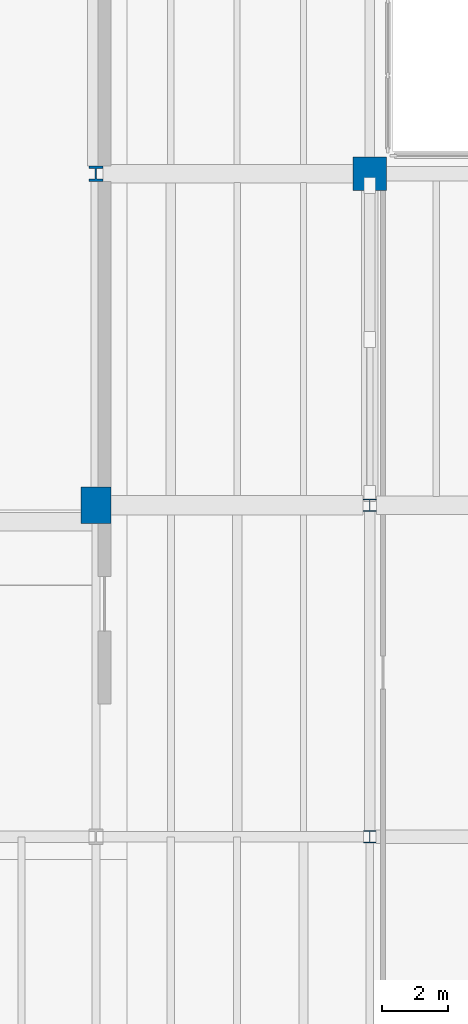
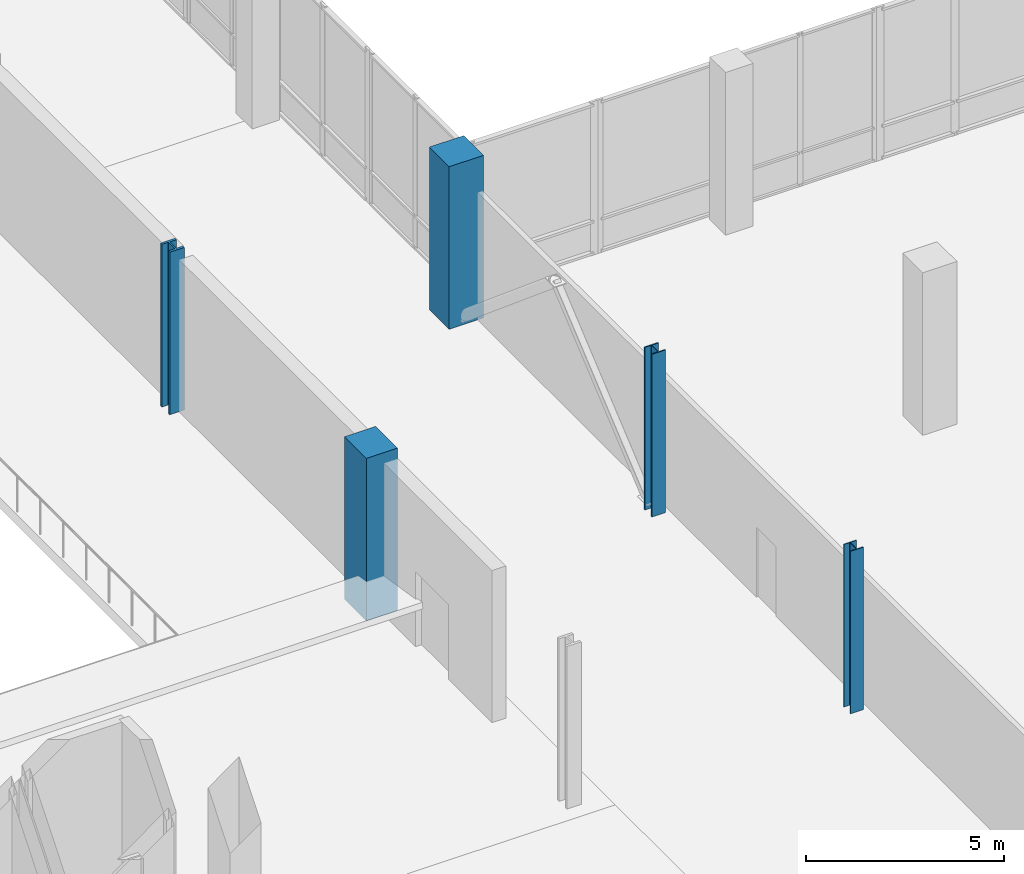
# One storey, part 6 of 73: 5 columns.
"""IFC4 building model written with IfcOpenShell, lengths in metres."""

import ifcopenshell
import ifcopenshell.guid

model = None  # the IFC model being written
_history = None  # IfcOwnerHistory: only IFC2X3 demands one
_inside = {}  # id of a spatial element -> (the spatial element, [elements in it])
_under = {}  # id of a project, library or spatial element -> (it, [spatial elements below it])
_declared = {}  # id of a project -> (the project, [libraries it declares])
_typed = {}  # id of a type object -> (the type object, [elements of that type])
_made_of = {}  # id of a material, layer set ... -> (it, [elements and type objects made of it])


def new_model(schema):
    """Start an empty IFC model of exactly this schema.

    Asked for "IFC4X3", IfcOpenShell would pick the latest addendum, in which some entities
    have other attributes; the version numbers below select the first issue.
    IFC2X3 requires an IfcOwnerHistory on every rooted entity: one is made here for all.
    """
    global model, _history
    if schema == "IFC4X3":
        model = ifcopenshell.file(schema_version=(4, 3, 0, 0))
    else:
        model = ifcopenshell.file(schema=schema)
    _inside.clear()
    _under.clear()
    _declared.clear()
    _typed.clear()
    _made_of.clear()
    _history = None
    if model.schema == "IFC2X3":
        org = make("IfcOrganization", Name="unknown")
        user = make(
            "IfcPersonAndOrganization",
            ThePerson=make("IfcPerson", FamilyName="unknown"),
            TheOrganization=org,
        )
        app = make(
            "IfcApplication",
            ApplicationDeveloper=org,
            Version="unknown",
            ApplicationFullName="unknown",
            ApplicationIdentifier="unknown",
        )
        _history = make(
            "IfcOwnerHistory",
            OwningUser=user,
            OwningApplication=app,
            ChangeAction="ADDED",
            CreationDate=0,
        )
    return model


def make(cls, **values):
    """One entity of the class cls with the attributes given. An attribute that is None is left unset."""
    return model.create_entity(
        cls, **{name: value for name, value in values.items() if value is not None}
    )


def rooted(cls, **values):
    """An entity with a GlobalId (a new one), such as an element, a storey or a relation."""
    return make(cls, GlobalId=ifcopenshell.guid.new(), OwnerHistory=_history, **values)


def si_unit(unit_type, name, prefix=None):
    """IfcSIUnit, for example si_unit("LENGTHUNIT", "METRE", prefix="MILLI")."""
    return make("IfcSIUnit", UnitType=unit_type, Prefix=prefix, Name=name)


def assignment(units):
    """IfcUnitAssignment: the units of a project."""
    return None if units is None else make("IfcUnitAssignment", Units=units)


def point(xyz):
    """IfcCartesianPoint."""
    return None if xyz is None else make("IfcCartesianPoint", Coordinates=xyz)


def direction(xyz):
    """IfcDirection."""
    return None if xyz is None else make("IfcDirection", DirectionRatios=xyz)


def frame(location, z_axis=None, x_axis=None):
    """IfcAxis2Placement3D, a coordinate frame: its origin and axes. An axis left out is left unset."""
    return make(
        "IfcAxis2Placement3D",
        Location=point(location),
        Axis=direction(z_axis),
        RefDirection=direction(x_axis),
    )


def frame_2d(location, x_axis=None):
    """IfcAxis2Placement2D, a coordinate frame in the plane: its origin and x axis."""
    return make(
        "IfcAxis2Placement2D", Location=point(location), RefDirection=direction(x_axis)
    )


def origin():
    """The frame at (0, 0, 0) with its axes left unset."""
    return frame((0.0, 0.0, 0.0))


def origin_2d():
    """The frame at (0, 0) in the plane with its x axis left unset."""
    return frame_2d((0.0, 0.0))


def place(relative_to, where):
    """IfcLocalPlacement: puts the frame where relative to a parent placement (None: the world)."""
    return make(
        "IfcLocalPlacement", PlacementRelTo=relative_to, RelativePlacement=where
    )


def context(
    kind, dimensions, precision=None, world=None, true_north=None, identifier=None
):
    """IfcGeometricRepresentationContext, for example the 3D "Model" context."""
    return make(
        "IfcGeometricRepresentationContext",
        ContextIdentifier=identifier,
        ContextType=kind,
        CoordinateSpaceDimension=dimensions,
        Precision=precision,
        WorldCoordinateSystem=world,
        TrueNorth=true_north,
    )


def subcontext(parent, identifier, kind, view, scale=None):
    """IfcGeometricRepresentationSubContext, for example "Body" below "Model"."""
    return make(
        "IfcGeometricRepresentationSubContext",
        ContextIdentifier=identifier,
        ContextType=kind,
        ParentContext=parent,
        TargetScale=scale,
        TargetView=view,
    )


def project(units=None, contexts=None):
    """IfcProject with its units and contexts."""
    return rooted(
        "IfcProject",
        Name="project",
        RepresentationContexts=contexts,
        UnitsInContext=assignment(units),
    )


def spatial(cls, under=None, at=None, **own):
    """A site, building, storey or space (cls), placed at a placement, below another one or the project."""
    s = rooted(cls, ObjectPlacement=at, **own)
    if under is not None:
        _under.setdefault(under.id(), (under, []))[1].append(s)
    return s


def profile(cls, at=None, kind="AREA", **sizes):
    """A parametric profile (cls). Its sizes go by their IFC names, for example OverallWidth=200.0."""
    return make(cls, ProfileType=kind, Position=at, **sizes)


def rectangle(**sizes):
    """IfcRectangleProfileDef."""
    return profile("IfcRectangleProfileDef", **sizes)


def i_section(**sizes):
    """IfcIShapeProfileDef."""
    return profile("IfcIShapeProfileDef", **sizes)


def extrude(swept, where, along, depth):
    """IfcExtrudedAreaSolid: the profile swept, set in the frame where, extruded along a direction by depth."""
    return make(
        "IfcExtrudedAreaSolid",
        SweptArea=swept,
        Position=where,
        ExtrudedDirection=direction(along),
        Depth=depth,
    )


def shape(context_of_items, identifier, shape_type, items):
    """IfcShapeRepresentation: the items that make up one representation, for example the "Body"."""
    return make(
        "IfcShapeRepresentation",
        ContextOfItems=context_of_items,
        RepresentationIdentifier=identifier,
        RepresentationType=shape_type,
        Items=items,
    )


def material(Name=None, Category=None):
    """IfcMaterial."""
    return make("IfcMaterial", Name=Name, Category=Category)


def material_profile(
    of_material, cross_section, Name=None, Category=None, Priority=None
):
    """IfcMaterialProfile: a cross section and its material."""
    return make(
        "IfcMaterialProfile",
        Name=Name,
        Material=of_material,
        Profile=cross_section,
        Priority=Priority,
        Category=Category,
    )


def profile_set(profiles, Name=None, composite=None):
    """IfcMaterialProfileSet."""
    return make(
        "IfcMaterialProfileSet",
        Name=Name,
        MaterialProfiles=profiles,
        CompositeProfile=composite,
    )


def made_of(thing, what):
    """Note that an element or type object is made of a material, layer set ...; save() writes the relation."""
    if what is not None:
        _made_of.setdefault(what.id(), (what, []))[1].append(thing)
    return thing


def type_object(cls, material=None, **own):
    """A type object (cls), such as IfcWallType, which elements share."""
    return made_of(rooted(cls, **own), material)


def element(
    cls,
    number,
    at=None,
    inside=None,
    cuts=None,
    type_object=None,
    material=None,
    context=None,
    identifier="Body",
    shape_type=None,
    held_by="IfcProductDefinitionShape",
    body=None,
    shapes=None,
    **own,
):
    """One element of the class cls, such as IfcWall. Its Tag is "e" and its number.

    at: its placement. inside: the storey or other place that contains it. cuts: it is an
    opening in that element (IfcRelVoidsElement). A single representation is given by context,
    identifier, shape_type and body (its items); several are given by shapes. held_by: the class
    of the entity that holds the representations. save() writes the other relations.
    """
    e = rooted(cls, Tag="e%d" % number, ObjectPlacement=at, **own)
    if body is not None:
        shapes = [shape(context, identifier, shape_type, body)]
    if shapes is not None:
        e.Representation = make(held_by, Representations=shapes)
    if inside is not None:
        _inside.setdefault(inside.id(), (inside, []))[1].append(e)
    if cuts is not None:
        rooted(
            "IfcRelVoidsElement", RelatingBuildingElement=cuts, RelatedOpeningElement=e
        )
    if type_object is not None:
        _typed.setdefault(type_object.id(), (type_object, []))[1].append(e)
    return made_of(e, material)


def aggregate(whole, parts):
    """IfcRelAggregates: a whole, such as a stair, and the parts it consists of."""
    return rooted("IfcRelAggregates", RelatingObject=whole, RelatedObjects=parts)


def save(model, path):
    """Write the relations noted so far, then the file.

    IfcRelAggregates (storeys below a building ...), IfcRelContainedInSpatialStructure (elements
    in a storey), IfcRelDefinesByType, IfcRelAssociatesMaterial and IfcRelDeclares: one each for
    every whole, place, type object, material and project.
    """
    for whole, parts in _under.values():
        aggregate(whole, parts)
    for where, things in _inside.values():
        rooted(
            "IfcRelContainedInSpatialStructure",
            RelatedElements=things,
            RelatingStructure=where,
        )
    for kind, things in _typed.values():
        rooted("IfcRelDefinesByType", RelatedObjects=things, RelatingType=kind)
    for what, things in _made_of.values():
        rooted("IfcRelAssociatesMaterial", RelatedObjects=things, RelatingMaterial=what)
    for by, libraries in _declared.values():
        rooted("IfcRelDeclares", RelatingContext=by, RelatedDefinitions=libraries)
    model.write(path)


model = new_model("IFC4")

# Units and contexts
model_context = context("Model", 3, precision=1e-05, world=origin(), true_north=direction((0.0, 1.0)))
body_context = subcontext(model_context, "Body", "Model", "MODEL_VIEW")
ifc_project = project(units=[si_unit("LENGTHUNIT", "METRE"), si_unit("AREAUNIT", "SQUARE_METRE"), si_unit("VOLUMEUNIT", "CUBIC_METRE"), si_unit("PLANEANGLEUNIT", "RADIAN"), si_unit("MASSUNIT", "GRAM", prefix="KILO")], contexts=[model_context])

# Site, building, storey
site_placement = place(None, origin())
site = spatial("IfcSite", under=ifc_project, at=site_placement, CompositionType="ELEMENT")
building_placement = place(site_placement, origin())
building = spatial("IfcBuilding", under=site, at=building_placement, Name="Trimount Lyric Opera House", CompositionType="ELEMENT")
storey_placement = place(building_placement, frame((0.0, 0.0, 10.0)))
storey = spatial("IfcBuildingStorey", under=building, at=storey_placement, Name="L02", CompositionType="ELEMENT", Elevation=10.0)

# Columns
ifc_material_1 = material(Name="Steel ASTM A992 Grade 50", Category="steel")
ifc_material_profile_1 = material_profile(ifc_material_1, i_section(OverallWidth=0.422119140625, OverallDepth=0.465087890625, WebThickness=0.044921875, FlangeThickness=0.072509765625, FilletRadius=0.02001953125, at=origin_2d()), Name="W14X398")
ifc_profile_set_1 = profile_set([ifc_material_profile_1], Name="Steel ASTM A992 Grade 50")
column_type_1 = type_object("IfcColumnType", Name="C-01", PredefinedType="COLUMN", material=ifc_profile_set_1)
column_1_placement = place(storey_placement, frame((113.739990234375, 74.0, 0.0), z_axis=(0.0, 0.0, 1.0), x_axis=(1.0, 0.0, 0.0)))
element("IfcColumn", 1, at=column_1_placement, inside=storey, type_object=column_type_1, Name="L02 column 13/J", PredefinedType="COLUMN", context=body_context, shape_type="SweptSolid", body=[
    extrude(i_section(OverallWidth=0.422119140625, OverallDepth=0.465087890625, WebThickness=0.044921875, FlangeThickness=0.072509765625, FilletRadius=0.02001953125, at=origin_2d()), origin(), (0.0, 0.0, 1.0), 5.0),
])
ifc_material_2 = material(Name="Steel ASTM A992 Grade 50", Category="steel")
ifc_material_profile_2 = material_profile(ifc_material_2, i_section(OverallWidth=0.39892578125, OverallDepth=0.385986328125, WebThickness=0.02099609375, FlangeThickness=0.033203125, FilletRadius=0.01611328125, at=origin_2d()), Name="W14X176")
ifc_profile_set_2 = profile_set([ifc_material_profile_2], Name="Steel ASTM A992 Grade 50")
column_type_2 = type_object("IfcColumnType", Name="C-03", PredefinedType="COLUMN", material=ifc_profile_set_2)
column_2_placement = place(storey_placement, frame((122.0, 64.0, 0.0), z_axis=(0.0, 0.0, 1.0), x_axis=(1.0, 0.0, 0.0)))
element("IfcColumn", 2, at=column_2_placement, inside=storey, type_object=column_type_2, Name="L02 column 14/H", PredefinedType="COLUMN", context=body_context, shape_type="SweptSolid", body=[
    extrude(i_section(OverallWidth=0.39892578125, OverallDepth=0.385986328125, WebThickness=0.02099609375, FlangeThickness=0.033203125, FilletRadius=0.01611328125, at=origin_2d()), origin(), (0.0, 0.0, 1.0), 5.0),
])
ifc_material_3 = material(Name="Steel ASTM A992 Grade 50", Category="steel")
ifc_material_profile_3 = material_profile(ifc_material_3, i_section(OverallWidth=0.373046875, OverallDepth=0.367919921875, WebThickness=0.014892578125, FlangeThickness=0.02392578125, FilletRadius=0.014892578125, at=origin_2d()), Name="W14X120")
ifc_profile_set_3 = profile_set([ifc_material_profile_3], Name="Steel ASTM A992 Grade 50")
column_type_3 = type_object("IfcColumnType", Name="C-08", PredefinedType="COLUMN", material=ifc_profile_set_3)
column_3_placement = place(storey_placement, frame((122.0, 54.0, 0.0), z_axis=(0.0, 0.0, 1.0), x_axis=(1.0, 0.0, 0.0)))
element("IfcColumn", 3, at=column_3_placement, inside=storey, type_object=column_type_3, Name="L02 column 14/G", PredefinedType="COLUMN", context=body_context, shape_type="SweptSolid", body=[
    extrude(i_section(OverallWidth=0.373046875, OverallDepth=0.367919921875, WebThickness=0.014892578125, FlangeThickness=0.02392578125, FilletRadius=0.014892578125, at=origin_2d()), origin(), (0.0, 0.0, 1.0), 5.0),
])
ifc_material_4 = material(Name="Concrete C50/60", Category="concrete")
ifc_material_profile_4 = material_profile(ifc_material_4, rectangle(XDim=0.89990234375, YDim=1.10009765625, at=origin_2d()), Name="RC1100X900")
ifc_profile_set_4 = profile_set([ifc_material_profile_4], Name="Concrete C50/60")
column_type_4 = type_object("IfcColumnType", Name="C-11", PredefinedType="COLUMN", material=ifc_profile_set_4)
column_4_placement = place(storey_placement, frame((113.739990234375, 64.0, 0.0), z_axis=(0.0, 0.0, 1.0), x_axis=(1.0, 0.0, 0.0)))
element("IfcColumn", 4, at=column_4_placement, inside=storey, type_object=column_type_4, Name="L02 column 13/H", PredefinedType="COLUMN", context=body_context, shape_type="SweptSolid", body=[
    extrude(rectangle(XDim=0.89990234375, YDim=1.10009765625, at=origin_2d()), origin(), (0.0, 0.0, 1.0), 5.0),
])
ifc_material_5 = material(Name="Concrete C50/60", Category="concrete")
ifc_material_profile_5 = material_profile(ifc_material_5, rectangle(XDim=1.0, YDim=1.0, at=origin_2d()), Name="RC1000X1000")
ifc_profile_set_5 = profile_set([ifc_material_profile_5], Name="Concrete C50/60")
column_type_5 = type_object("IfcColumnType", Name="C-12", PredefinedType="COLUMN", material=ifc_profile_set_5)
column_5_placement = place(storey_placement, frame((122.0, 74.0, 0.0), z_axis=(0.0, 0.0, 1.0), x_axis=(1.0, 0.0, 0.0)))
element("IfcColumn", 5, at=column_5_placement, inside=storey, type_object=column_type_5, Name="L02 column 14/J", PredefinedType="COLUMN", context=body_context, shape_type="SweptSolid", body=[
    extrude(rectangle(XDim=1.0, YDim=1.0, at=origin_2d()), origin(), (0.0, 0.0, 1.0), 5.0),
])

save(model, "model.ifc")
